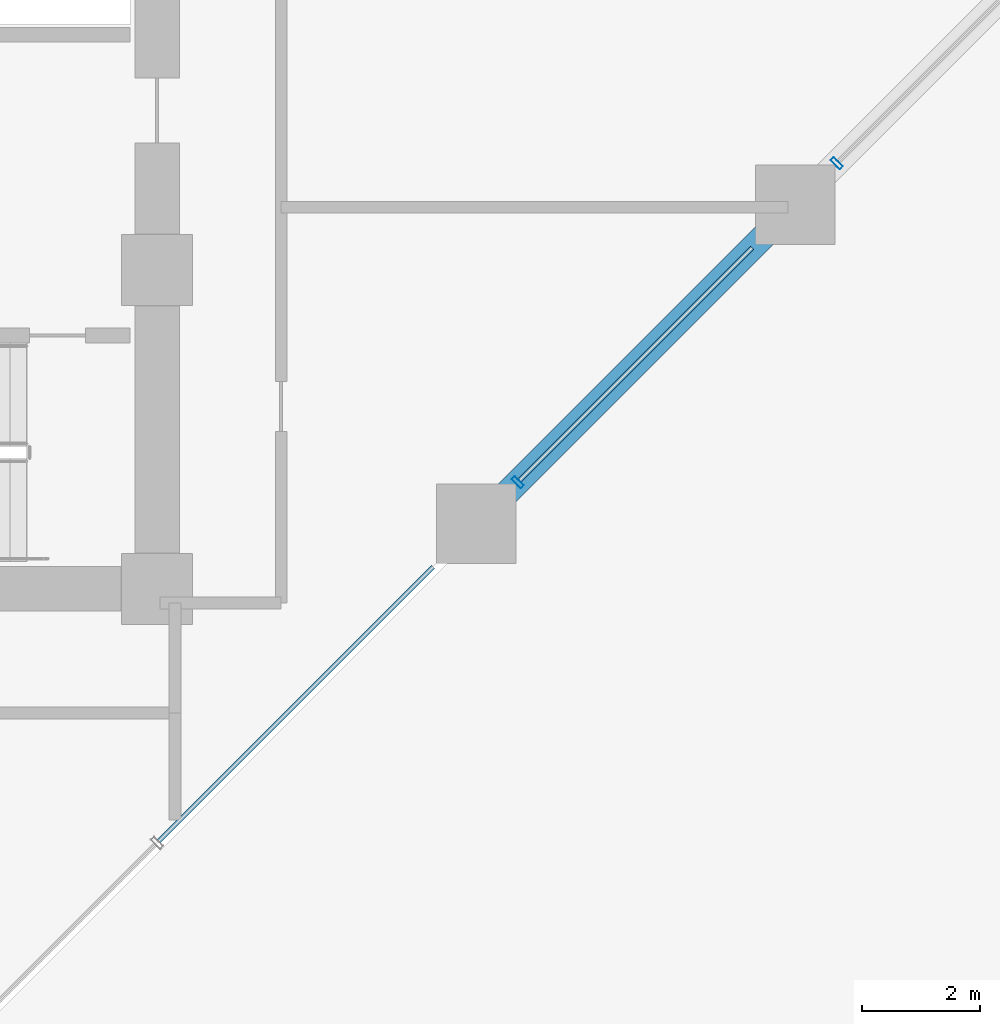
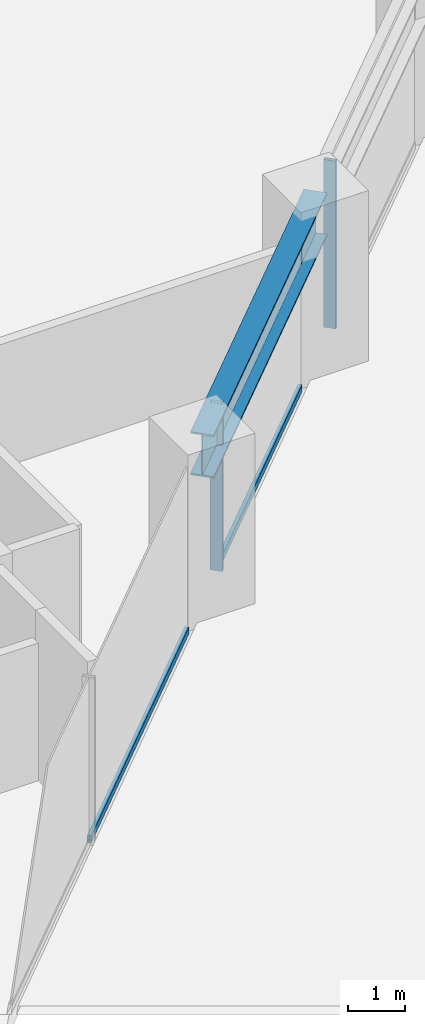
# One storey, part 8 of 27: 4 members, 1 beam, 1 element without a shape of its own.
"""IFC4 building model written with IfcOpenShell, lengths in metres."""

from ifc_helpers import new_model, si_unit, direction, frame, origin, origin_2d, place, context, subcontext, project, spatial, hollow_rectangle, i_section, extrude, material, layer, layer_set, material_profile, profile_set, type_object, element, aggregate, save


model = new_model("IFC4")

# Units and contexts
model_context = context("Model", 3, precision=1e-05, world=origin(), true_north=direction((0.0, 1.0)))
body_context = subcontext(model_context, "Body", "Model", "MODEL_VIEW")
ifc_project = project(units=[si_unit("LENGTHUNIT", "METRE"), si_unit("AREAUNIT", "SQUARE_METRE"), si_unit("VOLUMEUNIT", "CUBIC_METRE"), si_unit("PLANEANGLEUNIT", "RADIAN"), si_unit("MASSUNIT", "GRAM", prefix="KILO")], contexts=[model_context])

# Site, building, storey
site_placement = place(None, origin())
site = spatial("IfcSite", under=ifc_project, at=site_placement, CompositionType="ELEMENT")
building_placement = place(site_placement, origin())
building = spatial("IfcBuilding", under=site, at=building_placement, Name="Surkhivell Harbour Commons", CompositionType="ELEMENT")
storey_placement = place(building_placement, frame((0.0, 0.0, 22.5)))
storey = spatial("IfcBuildingStorey", under=building, at=storey_placement, Name="L05", CompositionType="ELEMENT", Elevation=22.5)

# Beam
ifc_material_1 = material(Name="Steel S460", Category="steel")
ifc_material_profile_1 = material_profile(ifc_material_1, i_section(OverallWidth=0.419921875, OverallDepth=0.9208984375, WebThickness=0.021484375, FlangeThickness=0.03662109375, at=origin_2d()), Name="UB914x419x388")
ifc_profile_set_1 = profile_set([ifc_material_profile_1], Name="Steel S460")
beam_type = type_object("IfcBeamType", Name="BM-SPN-914A", PredefinedType="SPANDREL", material=ifc_profile_set_1)
beam_placement = place(storey_placement, frame((16.199951171875, -9.699951171875, 3.109619140625), z_axis=(0.707122765516, 0.707090796496, 0.0), x_axis=(-0.707090796496, 0.707122765516, 0.0)))
element("IfcBeam", 1, at=beam_placement, inside=storey, type_object=beam_type, Name="L05 Tube Spandrel (16.2,-9.7)", PredefinedType="SPANDREL", context=body_context, shape_type="SweptSolid", body=[
    extrude(i_section(OverallWidth=0.419921875, OverallDepth=0.9208984375, WebThickness=0.021484375, FlangeThickness=0.03662109375, at=origin_2d()), origin(), (0.0, 0.0, 1.0), 7.63671875),
])

# Curtain wall, members
ifc_material_2 = material(Name="Anodised pale-metal aluminium and insulated glazing", Category="aluminium")
ifc_layer = layer(ifc_material_2, 0.219970703125)
ifc_layer_set = layer_set([ifc_layer], Name="Anodised pale-metal aluminium and insulated glazing")
curtain_wall_type = type_object("IfcCurtainWallType", Name="CW-SYS-Z1", PredefinedType="NOTDEFINED", material=ifc_layer_set)
curtain_wall_placement = place(storey_placement, origin())
curtain_wall = element("IfcCurtainWall", 2, at=curtain_wall_placement, inside=storey, type_object=curtain_wall_type, Name="L05 Curtain Wall CW-L05-E01", PredefinedType="NOTDEFINED")
ifc_material_3 = material(Name="Anodised pale-metal aluminium alloy 6063-T6", Category="aluminium")
ifc_material_profile_2 = material_profile(ifc_material_3, hollow_rectangle(XDim=0.074951171875, YDim=0.219970703125, WallThickness=0.00390625, at=origin_2d()), Name="ALU-MULL-75x220")
ifc_profile_set_2 = profile_set([ifc_material_profile_2], Name="Anodised pale-metal aluminium alloy 6063-T6")
member_type_1 = type_object("IfcMemberType", Name="CWM-220", PredefinedType="MULLION", material=ifc_profile_set_2)
member_1_placement = place(storey_placement, frame((16.9033203125, -8.99658203125, 0.0), z_axis=(0.0, 0.0, 1.0), x_axis=(0.707106781187, 0.707106781187, 0.0)))
member_1 = element("IfcMember", 3, at=member_1_placement, type_object=member_type_1, Name="CW-Z1 mullion 4", PredefinedType="MULLION", context=body_context, shape_type="SweptSolid", body=[
    extrude(hollow_rectangle(XDim=0.074951171875, YDim=0.219970703125, WallThickness=0.00390625, at=origin_2d()), origin(), (0.0, 0.0, 1.0), 3.570068359375),
])
member_2_placement = place(storey_placement, frame((22.30322265625, -3.5966796875, 0.0), z_axis=(0.0, 0.0, 1.0), x_axis=(0.707106781187, 0.707106781187, 0.0)))
member_2 = element("IfcMember", 4, at=member_2_placement, type_object=member_type_1, Name="CW-Z1 mullion 5", PredefinedType="MULLION", context=body_context, shape_type="SweptSolid", body=[
    extrude(hollow_rectangle(XDim=0.074951171875, YDim=0.219970703125, WallThickness=0.00390625, at=origin_2d()), origin(), (0.0, 0.0, 1.0), 3.570068359375),
])
ifc_material_profile_3 = material_profile(ifc_material_3, hollow_rectangle(XDim=0.074951171875, YDim=0.14990234375, WallThickness=0.00341796875, at=origin_2d()), Name="ALU-TRAN-75x150")
ifc_profile_set_3 = profile_set([ifc_material_profile_3], Name="Anodised pale-metal aluminium alloy 6063-T6")
member_type_2 = type_object("IfcMemberType", Name="CWT-150", PredefinedType="USERDEFINED", material=ifc_profile_set_3)
member_3_placement = place(storey_placement, frame((10.826416015625, -15.073486328125, 0.074951171875), z_axis=(0.70712536896, 0.707088192925, 0.0), x_axis=(-0.707088192925, 0.70712536896, 0.0)))
member_3 = element("IfcMember", 5, at=member_3_placement, type_object=member_type_2, Name="CW-Z1 transom 3.1", ObjectType="TRANSOM", PredefinedType="USERDEFINED", context=body_context, shape_type="SweptSolid", body=[
    extrude(hollow_rectangle(XDim=0.074951171875, YDim=0.14990234375, WallThickness=0.00341796875, at=origin_2d()), origin(), (0.0, 0.0, 1.0), 6.567138671875),
])
member_4_placement = place(storey_placement, frame((16.929931640625, -8.97021484375, 0.074951171875), z_axis=(0.707084874754, 0.70712868694, 0.0), x_axis=(-0.70712868694, 0.707084874754, 0.0)))
member_4 = element("IfcMember", 6, at=member_4_placement, type_object=member_type_2, Name="CW-Z1 transom 4.1", ObjectType="TRANSOM", PredefinedType="USERDEFINED", context=body_context, shape_type="SweptSolid", body=[
    extrude(hollow_rectangle(XDim=0.074951171875, YDim=0.14990234375, WallThickness=0.00341796875, at=origin_2d()), origin(), (0.0, 0.0, 1.0), 5.572509765625),
])
aggregate(curtain_wall, [member_3, member_1, member_4, member_2])

save(model, "model.ifc")
